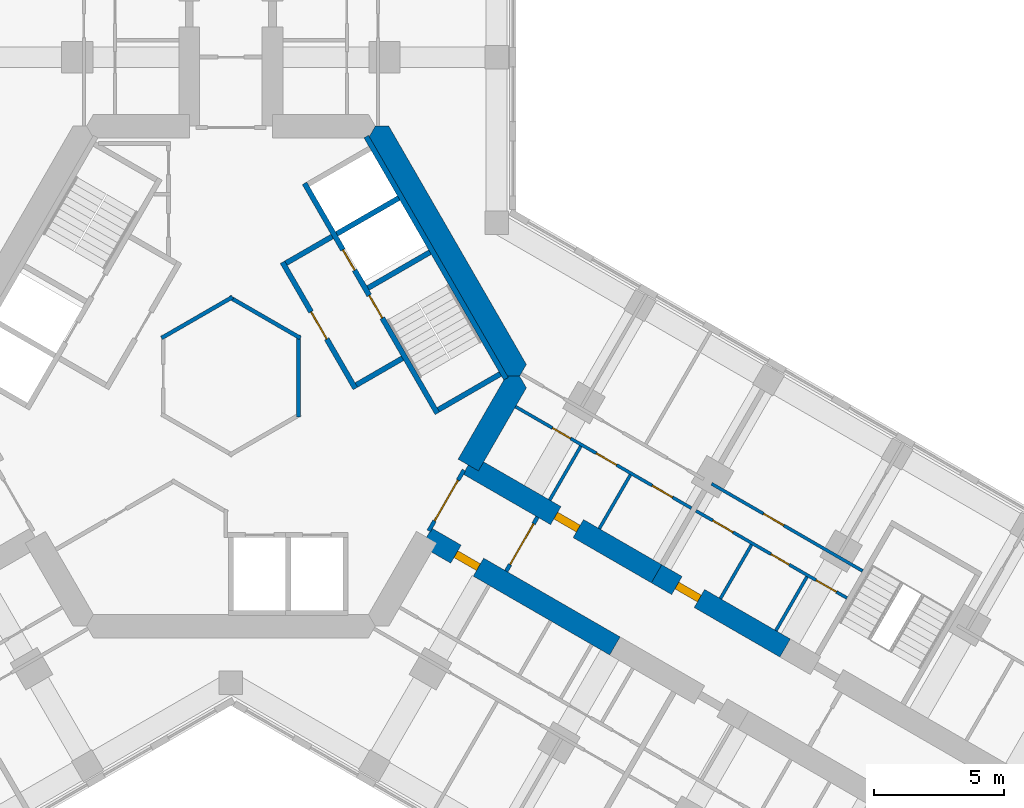
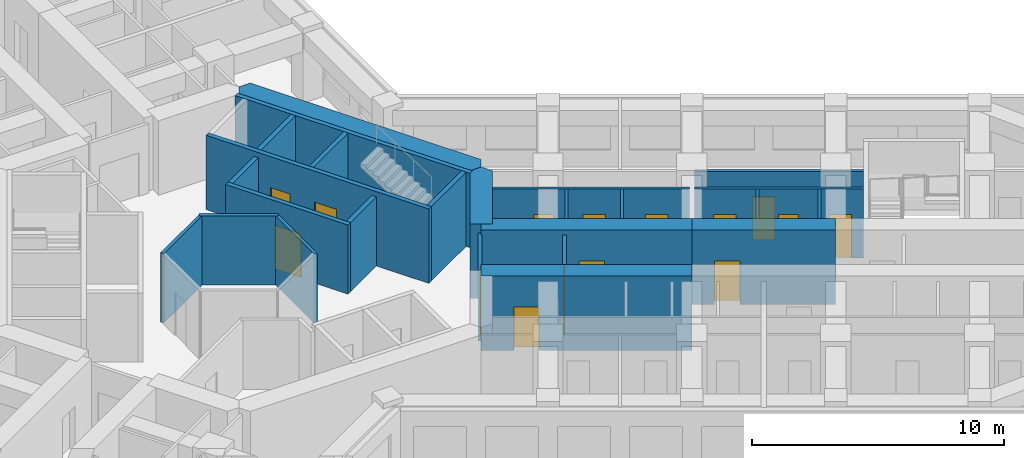
# One storey, part 15 of 19: 25 walls, 15 doors, 15 openings.
"""IFC4 building model written with IfcOpenShell, lengths in metres."""

from ifc_helpers import new_model, si_unit, direction, frame, frame_2d, origin, place, context, subcontext, project, spatial, polyline, rectangle, outline, extrude, material, layer, layer_set, type_object, element, fill, save


model = new_model("IFC4")

# Units and contexts
model_context = context("Model", 3, precision=1e-05, world=origin(), true_north=direction((0.0, 1.0)))
body_context = subcontext(model_context, "Body", "Model", "MODEL_VIEW")
ifc_project = project(units=[si_unit("LENGTHUNIT", "METRE"), si_unit("AREAUNIT", "SQUARE_METRE"), si_unit("VOLUMEUNIT", "CUBIC_METRE"), si_unit("PLANEANGLEUNIT", "RADIAN"), si_unit("MASSUNIT", "GRAM", prefix="KILO")], contexts=[model_context])

# Site, building, storey
site_placement = place(None, origin())
site = spatial("IfcSite", under=ifc_project, at=site_placement, CompositionType="ELEMENT")
building_placement = place(site_placement, origin())
building = spatial("IfcBuilding", under=site, at=building_placement, Name="Kosmar Iwan School Tower", CompositionType="ELEMENT")
storey_placement = place(building_placement, frame((0.0, 0.0, 168.800048828125)))
storey = spatial("IfcBuildingStorey", under=building, at=storey_placement, Name="L42", CompositionType="ELEMENT", Elevation=168.800048828125)

# Walls
ifc_material_1 = material(Name="Gypsum board on steel studs, fire-rated", Category="steel")
ifc_layer_1 = layer(ifc_material_1, 0.14990234375)
ifc_layer_set_1 = layer_set([ifc_layer_1], Name="Core room partition 150")
wall_type_1 = type_object("IfcWallType", Name="Core room partition 150", PredefinedType="PARTITIONING", material=ifc_layer_set_1)
for number, where, z_axis, x_axis, name in (
    (1, (-2.6650390625, 1.463623046875, 0.0), (0.0, 0.0, 1.0), (0.866023080072, 0.500004024767, 0.0), "Core room partition L42-CW11"),
    (2, (-0.06494140625, 3.039794921875, 0.0), (0.0, 0.0, 1.0), (0.866023080072, -0.500004024767, 0.0), "Core room partition L42-CW12"),
    (3, (2.60009765625, 1.576171875, 0.0), (0.0, 0.0, 1.0), (0.0, -1.0, 0.0), "Core room partition L42-CW13"),
):
    element("IfcWall", number, at=place(storey_placement, frame(where, z_axis=z_axis, x_axis=x_axis)), inside=storey, type_object=wall_type_1, Name=name, PredefinedType="PARTITIONING", context=body_context, shape_type="SweptSolid", body=[
        extrude(rectangle(XDim=3.15234375, YDim=0.14990234375, at=frame_2d((1.576171875, 0.0))), origin(), (0.0, 0.0, 1.0), 3.349853515625),
    ])
ifc_material_2 = material(Name="Concrete C50/60", Category="concrete")
ifc_layer_2 = layer(ifc_material_2, 0.89990234375)
ifc_layer_set_2 = layer_set([ifc_layer_2], Name="Core wall 900")
wall_type_2 = type_object("IfcWallType", Name="Core wall 900", PredefinedType="SHEAR", material=ifc_layer_set_2)
wall_1_placement = place(storey_placement, origin())
element("IfcWall", 4, at=wall_1_placement, inside=storey, type_object=wall_type_2, Name="Core wall F030", PredefinedType="SHEAR", context=body_context, shape_type="SweptSolid", body=[
    extrude(outline(polyline([(10.5654296875, 0.0), (11.085205078125, 0.0), (11.344970703125, 0.449951171875), (6.062255859375, 9.60009765625), (5.54248046875, 9.60009765625), (5.28271484375, 9.14990234375), (10.5654296875, 0.0)])), origin(), (0.0, 0.0, 1.0), 3.599853515625),
])
wall_2_placement = place(storey_placement, origin())
element("IfcWall", 5, at=wall_2_placement, inside=storey, type_object=wall_type_2, Name="Core wall F330b", PredefinedType="SHEAR", context=body_context, shape_type="SweptSolid", body=[
    extrude(outline(polyline([(9.503662109375, -3.639404296875), (11.344970703125, -0.449951171875), (11.085205078125, 0.0), (10.5654296875, 0.0), (8.72412109375, -3.189453125), (9.503662109375, -3.639404296875)])), origin(), (0.0, 0.0, 1.0), 3.599853515625),
])

# Wall, opening, door
ifc_material_3 = material(Name="Concrete C50/60", Category="concrete")
ifc_layer_3 = layer(ifc_material_3, 0.800048828125)
ifc_layer_set_3 = layer_set([ifc_layer_3], Name="Corridor buttress wall 800")
wall_type_3 = type_object("IfcWallType", Name="Corridor buttress wall 800", PredefinedType="SHEAR", material=ifc_layer_set_3)
wall_3_placement = place(storey_placement, frame((9.11376953125, -3.414306640625, 0.0), z_axis=(0.0, 0.0, 1.0), x_axis=(0.866026859388, -0.499997478812, 0.0)))
wall_3 = element("IfcWall", 6, at=wall_3_placement, inside=storey, type_object=wall_type_3, Name="Corridor wall CL", PredefinedType="SHEAR", context=body_context, shape_type="SweptSolid", body=[
    extrude(rectangle(XDim=8.35009765625, YDim=0.800048828125, at=frame_2d((4.175048828125, 0.0))), origin(), (0.0, 0.0, 1.0), 3.599853515625),
])
opening_1_placement = place(wall_3_placement, frame((3.8798828125, 0.0, 0.0)))
opening_1 = element("IfcOpeningElement", 7, at=opening_1_placement, cuts=wall_3, Name="Opening D1", PredefinedType="OPENING", context=body_context, shape_type="SweptSolid", body=[
    extrude(rectangle(XDim=1.0, YDim=2.10009765625, at=frame_2d((0.5, 1.050048828125))), frame((0.0, 0.412109375, 0.0), z_axis=(0.0, -1.0, 0.0), x_axis=(1.0, 0.0, 0.0)), (0.0, 0.0, 1.0), 0.823974609375),
])
ifc_material_4 = material(Name="Timber fire door in steel frame", Category="steel")
door_type_1 = type_object("IfcDoorType", Name="Flat entrance door 1000x2100", OperationType="SINGLE_SWING_LEFT", PredefinedType="DOOR", material=ifc_material_4)
door_1_placement = place(opening_1_placement, origin())
door_1 = element("IfcDoor", 8, at=door_1_placement, inside=storey, type_object=door_type_1, Name="Flat L42-CL1 entrance door", OperationType="SINGLE_SWING_LEFT", OverallHeight=2.10009765625, OverallWidth=1.0, PredefinedType="DOOR", context=body_context, shape_type="SweptSolid", body=[
    extrude(rectangle(XDim=1.0, YDim=2.10009765625, at=frame_2d((0.5, 1.050048828125))), frame((0.0, 0.14990234375, 0.0), z_axis=(0.0, -1.0, 0.0), x_axis=(1.0, 0.0, 0.0)), (0.0, 0.0, 1.0), 0.300048828125),
])
fill(opening_1, door_1)

wall_4_placement = place(storey_placement, frame((16.34521484375, -7.58935546875, 0.0), z_axis=(0.0, 0.0, 1.0), x_axis=(0.866015111908, -0.50001782563, 0.0)))
wall_4 = element("IfcWall", 9, at=wall_4_placement, inside=storey, type_object=wall_type_3, Name="Corridor wall CL bay 2", PredefinedType="SHEAR", context=body_context, shape_type="SweptSolid", body=[
    extrude(rectangle(XDim=5.699951171875, YDim=0.800048828125, at=frame_2d((2.85009765625, 0.0))), origin(), (0.0, 0.0, 1.0), 3.599853515625),
])
opening_2_placement = place(wall_4_placement, frame((0.89990234375, 0.0, 0.0)))
opening_2 = element("IfcOpeningElement", 10, at=opening_2_placement, cuts=wall_4, Name="Opening D1", PredefinedType="OPENING", context=body_context, shape_type="SweptSolid", body=[
    extrude(rectangle(XDim=1.0, YDim=2.10009765625, at=frame_2d((0.5, 1.050048828125))), frame((0.0, 0.412109375, 0.0), z_axis=(0.0, -1.0, 0.0), x_axis=(1.0, 0.0, 0.0)), (0.0, 0.0, 1.0), 0.823974609375),
])
door_2_placement = place(opening_2_placement, origin())
door_2 = element("IfcDoor", 11, at=door_2_placement, inside=storey, type_object=door_type_1, Name="Flat L42-CL2 entrance door", OperationType="SINGLE_SWING_RIGHT", OverallHeight=2.10009765625, OverallWidth=1.0, PredefinedType="DOOR", context=body_context, shape_type="SweptSolid", body=[
    extrude(rectangle(XDim=1.0, YDim=2.10009765625, at=frame_2d((0.5, 1.050048828125))), frame((0.0, 0.14990234375, 0.0), z_axis=(0.0, -1.0, 0.0), x_axis=(1.0, 0.0, 0.0)), (0.0, 0.0, 1.0), 0.300048828125),
])
fill(opening_2, door_2)

wall_5_placement = place(storey_placement, frame((7.513916015625, -6.185546875, 0.0), z_axis=(0.0, 0.0, 1.0), x_axis=(0.866019549707, -0.500010139422, 0.0)))
wall_5 = element("IfcWall", 12, at=wall_5_placement, inside=storey, type_object=wall_type_3, Name="Corridor wall CR", PredefinedType="SHEAR", context=body_context, shape_type="SweptSolid", body=[
    extrude(rectangle(XDim=8.349853515625, YDim=0.800048828125, at=frame_2d((4.1748046875, 0.0))), origin(), (0.0, 0.0, 1.0), 3.599853515625),
])
opening_3_placement = place(wall_5_placement, frame((1.300048828125, 0.0, 0.0)))
opening_3 = element("IfcOpeningElement", 13, at=opening_3_placement, cuts=wall_5, Name="Opening D1", PredefinedType="OPENING", context=body_context, shape_type="SweptSolid", body=[
    extrude(rectangle(XDim=1.0, YDim=2.10009765625, at=frame_2d((0.5, 1.050048828125))), frame((0.0, 0.412109375, 0.0), z_axis=(0.0, -1.0, 0.0), x_axis=(1.0, 0.0, 0.0)), (0.0, 0.0, 1.0), 0.823974609375),
])
door_3_placement = place(opening_3_placement, origin())
door_3 = element("IfcDoor", 14, at=door_3_placement, inside=storey, type_object=door_type_1, Name="Flat L42-CR1 entrance door", OperationType="SINGLE_SWING_RIGHT", OverallHeight=2.10009765625, OverallWidth=1.0, PredefinedType="DOOR", context=body_context, shape_type="SweptSolid", body=[
    extrude(rectangle(XDim=1.0, YDim=2.10009765625, at=frame_2d((0.5, 1.050048828125))), frame((0.0, 0.14990234375, 0.0), z_axis=(0.0, -1.0, 0.0), x_axis=(1.0, 0.0, 0.0)), (0.0, 0.0, 1.0), 0.300048828125),
])
fill(opening_3, door_3)

ifc_material_5 = material(Name="Gypsum board on steel studs, fire-rated", Category="steel")
ifc_layer_4 = layer(ifc_material_5, 0.14990234375)
ifc_layer_set_4 = layer_set([ifc_layer_4], Name="Corridor end wall 150")
wall_type_4 = type_object("IfcWallType", Name="Corridor end wall 150", PredefinedType="PARTITIONING", material=ifc_layer_set_4)
wall_6_placement = place(storey_placement, frame((10.57177734375, -7.4892578125, 0.0), z_axis=(0.0, 0.0, 1.0), x_axis=(0.499957262057, 0.866050077142, 0.0)))
wall_6 = element("IfcWall", 15, at=wall_6_placement, inside=storey, type_object=wall_type_4, Name="Partition L42-C-HW", PredefinedType="PARTITIONING", context=body_context, shape_type="SweptSolid", body=[
    extrude(rectangle(XDim=2.400146484375, YDim=0.14990234375, at=frame_2d((1.2001953125, 0.0))), origin(), (0.0, 0.0, 1.0), 3.349853515625),
])
opening_4_placement = place(wall_6_placement, frame((0.300048828125, 0.0, 0.0)))
opening_4 = element("IfcOpeningElement", 16, at=opening_4_placement, cuts=wall_6, Name="Opening D9", PredefinedType="OPENING", context=body_context, shape_type="SweptSolid", body=[
    extrude(rectangle(XDim=1.800048828125, YDim=2.10009765625, at=frame_2d((0.89990234375, 1.050048828125))), frame((0.0, 0.0869140625, 0.0), z_axis=(0.0, -1.0, 0.0), x_axis=(1.0, 0.0, 0.0)), (0.0, 0.0, 1.0), 0.173828125),
])
ifc_material_6 = material(Name="Steel framed glazed smoke door", Category="steel")
door_type_2 = type_object("IfcDoorType", Name="Corridor smoke door pair 1800x2100", OperationType="DOUBLE_DOOR_DOUBLE_SWING", PredefinedType="DOOR", material=ifc_material_6)
door_4_placement = place(opening_4_placement, origin())
door_4 = element("IfcDoor", 17, at=door_4_placement, inside=storey, type_object=door_type_2, Name="Hashti vestibule smoke doors L42-C", OperationType="DOUBLE_DOOR_DOUBLE_SWING", OverallHeight=2.10009765625, OverallWidth=1.800048828125, PredefinedType="DOOR", context=body_context, shape_type="SweptSolid", body=[
    extrude(rectangle(XDim=1.800048828125, YDim=2.10009765625, at=frame_2d((0.89990234375, 1.050048828125))), frame((0.0, 0.02490234375, 0.0), z_axis=(0.0, -1.0, 0.0), x_axis=(1.0, 0.0, 0.0)), (0.0, 0.0, 1.0), 0.050048828125),
])
fill(opening_4, door_4)

ifc_material_7 = material(Name="Steel framed glazed screen", Category="steel")
ifc_layer_5 = layer(ifc_material_7, 0.14990234375)
ifc_layer_set_5 = layer_set([ifc_layer_5], Name="Corridor screen wall 150")
wall_type_5 = type_object("IfcWallType", Name="Corridor screen wall 150", PredefinedType="PARTITIONING", material=ifc_layer_set_5)
wall_7_placement = place(storey_placement, frame((7.595458984375, -5.944091796875, 0.0), z_axis=(0.0, 0.0, 1.0), x_axis=(0.500048589285, 0.86599734893, 0.0)))
wall_7 = element("IfcWall", 18, at=wall_7_placement, inside=storey, type_object=wall_type_5, Name="Corridor screen C L42", PredefinedType="PARTITIONING", context=body_context, shape_type="SweptSolid", body=[
    extrude(rectangle(XDim=2.699951171875, YDim=0.14990234375, at=frame_2d((1.35009765625, 0.0))), origin(), (0.0, 0.0, 1.0), 3.349853515625),
])
opening_5_placement = place(wall_7_placement, frame((0.449951171875, 0.0, 0.0)))
opening_5 = element("IfcOpeningElement", 19, at=opening_5_placement, cuts=wall_7, Name="Opening D9", PredefinedType="OPENING", context=body_context, shape_type="SweptSolid", body=[
    extrude(rectangle(XDim=1.800048828125, YDim=2.10009765625, at=frame_2d((0.89990234375, 1.050048828125))), frame((0.0, 0.0869140625, 0.0), z_axis=(0.0, -1.0, 0.0), x_axis=(1.0, 0.0, 0.0)), (0.0, 0.0, 1.0), 0.173828125),
])
door_5_placement = place(opening_5_placement, origin())
door_5 = element("IfcDoor", 20, at=door_5_placement, inside=storey, type_object=door_type_2, Name="Corridor doors C L42", OperationType="DOUBLE_DOOR_DOUBLE_SWING", OverallHeight=2.10009765625, OverallWidth=1.800048828125, PredefinedType="DOOR", context=body_context, shape_type="SweptSolid", body=[
    extrude(rectangle(XDim=1.800048828125, YDim=2.10009765625, at=frame_2d((0.89990234375, 1.050048828125))), frame((0.0, 0.02490234375, 0.0), z_axis=(0.0, -1.0, 0.0), x_axis=(1.0, 0.0, 0.0)), (0.0, 0.0, 1.0), 0.050048828125),
])
fill(opening_5, door_5)

# Wall, openings, doors
ifc_material_8 = material(Name="Gypsum board on steel studs", Category="steel")
ifc_layer_6 = layer(ifc_material_8, 0.1201171875)
ifc_layer_set_6 = layer_set([ifc_layer_6], Name="Dwelling partition 120")
wall_type_6 = type_object("IfcWallType", Name="Dwelling partition 120", PredefinedType="PARTITIONING", material=ifc_layer_set_6)
wall_8_placement = place(storey_placement, frame((10.928466796875, -1.171142578125, 0.0), z_axis=(0.0, 0.0, 1.0), x_axis=(0.866021400173, -0.500006934395, 0.0)))
wall_8 = element("IfcWall", 21, at=wall_8_placement, inside=storey, type_object=wall_type_6, Name="Partition L42-CL1-W1", PredefinedType="PARTITIONING", context=body_context, shape_type="SweptSolid", body=[
    extrude(rectangle(XDim=7.80029296875, YDim=0.1201171875, at=frame_2d((3.900146484375, 0.0))), origin(), (0.0, 0.0, 1.0), 3.349853515625),
])
opening_6_placement = place(wall_8_placement, frame((1.639892578125, 0.0, 0.0)))
opening_6 = element("IfcOpeningElement", 22, at=opening_6_placement, cuts=wall_8, Name="Opening D3", PredefinedType="OPENING", context=body_context, shape_type="SweptSolid", body=[
    extrude(rectangle(XDim=0.800048828125, YDim=2.10009765625, at=frame_2d((0.39990234375, 1.050048828125))), frame((0.0, 0.072021484375, 0.0), z_axis=(0.0, -1.0, 0.0), x_axis=(1.0, 0.0, 0.0)), (0.0, 0.0, 1.0), 0.14404296875),
])
opening_7_placement = place(wall_8_placement, frame((3.580078125, 0.0, 0.0)))
opening_7 = element("IfcOpeningElement", 23, at=opening_7_placement, cuts=wall_8, Name="Opening D2", PredefinedType="OPENING", context=body_context, shape_type="SweptSolid", body=[
    extrude(rectangle(XDim=0.89990234375, YDim=2.10009765625, at=frame_2d((0.449951171875, 1.050048828125))), frame((0.0, 0.072021484375, 0.0), z_axis=(0.0, -1.0, 0.0), x_axis=(1.0, 0.0, 0.0)), (0.0, 0.0, 1.0), 0.14404296875),
])
opening_8_placement = place(wall_8_placement, frame((6.06494140625, 0.0, 0.0)))
opening_8 = element("IfcOpeningElement", 24, at=opening_8_placement, cuts=wall_8, Name="Opening D2", PredefinedType="OPENING", context=body_context, shape_type="SweptSolid", body=[
    extrude(rectangle(XDim=0.89990234375, YDim=2.10009765625, at=frame_2d((0.449951171875, 1.050048828125))), frame((0.0, 0.072021484375, 0.0), z_axis=(0.0, -1.0, 0.0), x_axis=(1.0, 0.0, 0.0)), (0.0, 0.0, 1.0), 0.14404296875),
])
ifc_material_9 = material(Name="Timber door in timber frame", Category="wood")
door_type_3 = type_object("IfcDoorType", Name="Internal door 900x2100", OperationType="SINGLE_SWING_LEFT", PredefinedType="DOOR", material=ifc_material_9)
door_6_placement = place(opening_7_placement, origin())
door_6 = element("IfcDoor", 25, at=door_6_placement, inside=storey, type_object=door_type_3, Name="Entrance hall door L42-CL1-S2", OperationType="SINGLE_SWING_RIGHT", OverallHeight=2.10009765625, OverallWidth=0.89990234375, PredefinedType="DOOR", context=body_context, shape_type="SweptSolid", body=[
    extrude(rectangle(XDim=0.89990234375, YDim=2.10009765625, at=frame_2d((0.449951171875, 1.050048828125))), frame((0.0, 0.02490234375, 0.0), z_axis=(0.0, -1.0, 0.0), x_axis=(1.0, 0.0, 0.0)), (0.0, 0.0, 1.0), 0.050048828125),
])
fill(opening_7, door_6)
door_7_placement = place(opening_8_placement, origin())
door_7 = element("IfcDoor", 26, at=door_7_placement, inside=storey, type_object=door_type_3, Name="Pantry door L42-CL1-S3", OperationType="SINGLE_SWING_RIGHT", OverallHeight=2.10009765625, OverallWidth=0.89990234375, PredefinedType="DOOR", context=body_context, shape_type="SweptSolid", body=[
    extrude(rectangle(XDim=0.89990234375, YDim=2.10009765625, at=frame_2d((0.449951171875, 1.050048828125))), frame((0.0, 0.02490234375, 0.0), z_axis=(0.0, -1.0, 0.0), x_axis=(1.0, 0.0, 0.0)), (0.0, 0.0, 1.0), 0.050048828125),
])
fill(opening_8, door_7)
ifc_material_10 = material(Name="Timber door in timber frame", Category="wood")
door_type_4 = type_object("IfcDoorType", Name="Sanitary room door 800x2100", OperationType="SINGLE_SWING_LEFT", PredefinedType="DOOR", material=ifc_material_10)
door_8_placement = place(opening_6_placement, origin())
door_8 = element("IfcDoor", 27, at=door_8_placement, inside=storey, type_object=door_type_4, Name="Bathroom door L42-CL1-S1", OperationType="SINGLE_SWING_LEFT", OverallHeight=2.10009765625, OverallWidth=0.800048828125, PredefinedType="DOOR", context=body_context, shape_type="SweptSolid", body=[
    extrude(rectangle(XDim=0.800048828125, YDim=2.10009765625, at=frame_2d((0.39990234375, 1.050048828125))), frame((0.0, 0.02490234375, 0.0), z_axis=(0.0, -1.0, 0.0), x_axis=(1.0, 0.0, 0.0)), (0.0, 0.0, 1.0), 0.050048828125),
])
fill(opening_6, door_8)

# Walls
for number, where, z_axis, x_axis, name in (
    (28, (12.240966796875, -4.758056640625, 0.0), (0.0, 0.0, 1.0), (0.500017192868, 0.86601547725, 0.0), "Partition L42-CL1-Y1"),
    (29, (14.146240234375, -5.85791015625, 0.0), (0.0, 0.0, 1.0), (0.500017192868, 0.86601547725, 0.0), "Partition L42-CL1-Y2"),
):
    element("IfcWall", number, at=place(storey_placement, frame(where, z_axis=z_axis, x_axis=x_axis)), inside=storey, type_object=wall_type_6, Name=name, PredefinedType="PARTITIONING", context=body_context, shape_type="SweptSolid", body=[
        extrude(rectangle(XDim=2.39013671875, YDim=0.1201171875, at=frame_2d((1.195068359375, 0.0))), origin(), (0.0, 0.0, 1.0), 3.349853515625),
    ])

# Wall, openings, doors
wall_9_placement = place(storey_placement, frame((17.856689453125, -5.171142578125, 0.0), z_axis=(0.0, 0.0, 1.0), x_axis=(0.866023571113, -0.500003174267, 0.0)))
wall_9 = element("IfcWall", 30, at=wall_9_placement, inside=storey, type_object=wall_type_6, Name="Partition L42-CL2-W1", PredefinedType="PARTITIONING", context=body_context, shape_type="SweptSolid", body=[
    extrude(rectangle(XDim=6.7001953125, YDim=0.1201171875, at=frame_2d((3.35009765625, 0.0))), origin(), (0.0, 0.0, 1.0), 3.349853515625),
])
opening_9_placement = place(wall_9_placement, frame((0.75, 0.0, 0.0)))
opening_9 = element("IfcOpeningElement", 31, at=opening_9_placement, cuts=wall_9, Name="Opening D2", PredefinedType="OPENING", context=body_context, shape_type="SweptSolid", body=[
    extrude(rectangle(XDim=0.89990234375, YDim=2.10009765625, at=frame_2d((0.449951171875, 1.050048828125))), frame((0.0, 0.072021484375, 0.0), z_axis=(0.0, -1.0, 0.0), x_axis=(1.0, 0.0, 0.0)), (0.0, 0.0, 1.0), 0.14404296875),
])
opening_10_placement = place(wall_9_placement, frame((3.330078125, 0.0, 0.0)))
opening_10 = element("IfcOpeningElement", 32, at=opening_10_placement, cuts=wall_9, Name="Opening D3", PredefinedType="OPENING", context=body_context, shape_type="SweptSolid", body=[
    extrude(rectangle(XDim=0.800048828125, YDim=2.10009765625, at=frame_2d((0.39990234375, 1.050048828125))), frame((0.0, 0.072021484375, 0.0), z_axis=(0.0, -1.0, 0.0), x_axis=(1.0, 0.0, 0.0)), (0.0, 0.0, 1.0), 0.14404296875),
])
opening_11_placement = place(wall_9_placement, frame((5.330078125, 0.0, 0.0)))
opening_11 = element("IfcOpeningElement", 33, at=opening_11_placement, cuts=wall_9, Name="Opening D2", PredefinedType="OPENING", context=body_context, shape_type="SweptSolid", body=[
    extrude(rectangle(XDim=0.89990234375, YDim=2.10009765625, at=frame_2d((0.449951171875, 1.050048828125))), frame((0.0, 0.072021484375, 0.0), z_axis=(0.0, -1.0, 0.0), x_axis=(1.0, 0.0, 0.0)), (0.0, 0.0, 1.0), 0.14404296875),
])
door_9_placement = place(opening_9_placement, origin())
door_9 = element("IfcDoor", 34, at=door_9_placement, inside=storey, type_object=door_type_3, Name="Entrance hall door L42-CL2-S1", OperationType="SINGLE_SWING_LEFT", OverallHeight=2.10009765625, OverallWidth=0.89990234375, PredefinedType="DOOR", context=body_context, shape_type="SweptSolid", body=[
    extrude(rectangle(XDim=0.89990234375, YDim=2.10009765625, at=frame_2d((0.449951171875, 1.050048828125))), frame((0.0, 0.02490234375, 0.0), z_axis=(0.0, -1.0, 0.0), x_axis=(1.0, 0.0, 0.0)), (0.0, 0.0, 1.0), 0.050048828125),
])
fill(opening_9, door_9)
door_10_placement = place(opening_11_placement, frame((0.89990234375, 0.0, 0.0), z_axis=(0.0, 0.0, 1.0), x_axis=(-1.0, 0.0, 0.0)))
door_10 = element("IfcDoor", 35, at=door_10_placement, inside=storey, type_object=door_type_3, Name="Pantry door L42-CL2-S3", OperationType="SINGLE_SWING_LEFT", OverallHeight=2.10009765625, OverallWidth=0.89990234375, PredefinedType="DOOR", context=body_context, shape_type="SweptSolid", body=[
    extrude(rectangle(XDim=0.89990234375, YDim=2.10009765625, at=frame_2d((0.449951171875, 1.050048828125))), frame((0.0, 0.02490234375, 0.0), z_axis=(0.0, -1.0, 0.0), x_axis=(1.0, 0.0, 0.0)), (0.0, 0.0, 1.0), 0.050048828125),
])
fill(opening_11, door_10)
door_11_placement = place(opening_10_placement, origin())
door_11 = element("IfcDoor", 36, at=door_11_placement, inside=storey, type_object=door_type_4, Name="Bathroom door L42-CL2-S2", OperationType="SINGLE_SWING_RIGHT", OverallHeight=2.10009765625, OverallWidth=0.800048828125, PredefinedType="DOOR", context=body_context, shape_type="SweptSolid", body=[
    extrude(rectangle(XDim=0.800048828125, YDim=2.10009765625, at=frame_2d((0.39990234375, 1.050048828125))), frame((0.0, 0.02490234375, 0.0), z_axis=(0.0, -1.0, 0.0), x_axis=(1.0, 0.0, 0.0)), (0.0, 0.0, 1.0), 0.050048828125),
])
fill(opening_10, door_11)

# Wall, opening, door
wall_10_placement = place(storey_placement, frame((18.456787109375, -4.1318359375, 0.0), z_axis=(0.0, 0.0, 1.0), x_axis=(0.866014461049, -0.500018952895, 0.0)))
wall_10 = element("IfcWall", 37, at=wall_10_placement, inside=storey, type_object=wall_type_6, Name="Partition L42-CL2-W2", PredefinedType="PARTITIONING", context=body_context, shape_type="SweptSolid", body=[
    extrude(rectangle(XDim=6.699951171875, YDim=0.1201171875, at=frame_2d((3.35009765625, 0.0))), origin(), (0.0, 0.0, 1.0), 3.349853515625),
])
opening_12_placement = place(wall_10_placement, frame((2.300048828125, 0.0, 0.0)))
opening_12 = element("IfcOpeningElement", 38, at=opening_12_placement, cuts=wall_10, Name="Opening D2", PredefinedType="OPENING", context=body_context, shape_type="SweptSolid", body=[
    extrude(rectangle(XDim=0.89990234375, YDim=2.10009765625, at=frame_2d((0.449951171875, 1.050048828125))), frame((0.0, 0.072021484375, 0.0), z_axis=(0.0, -1.0, 0.0), x_axis=(1.0, 0.0, 0.0)), (0.0, 0.0, 1.0), 0.14404296875),
])
door_12_placement = place(opening_12_placement, origin())
door_12 = element("IfcDoor", 39, at=door_12_placement, inside=storey, type_object=door_type_3, Name="Studio living room and kitchen door L42-CL2-F1", OperationType="SINGLE_SWING_LEFT", OverallHeight=2.10009765625, OverallWidth=0.89990234375, PredefinedType="DOOR", context=body_context, shape_type="SweptSolid", body=[
    extrude(rectangle(XDim=0.89990234375, YDim=2.10009765625, at=frame_2d((0.449951171875, 1.050048828125))), frame((0.0, 0.02490234375, 0.0), z_axis=(0.0, -1.0, 0.0), x_axis=(1.0, 0.0, 0.0)), (0.0, 0.0, 1.0), 0.050048828125),
])
fill(opening_12, door_12)

# Walls
for number, where, z_axis, x_axis, name in (
    (40, (18.796875, -8.54296875, 0.0), (0.0, 0.0, 1.0), (0.500017192868, 0.86601547725, 0.0), "Partition L42-CL2-Y1"),
    (41, (20.92724609375, -9.77294921875, 0.0), (0.0, 0.0, 1.0), (0.500017192868, 0.86601547725, 0.0), "Partition L42-CL2-Y2"),
):
    element("IfcWall", number, at=place(storey_placement, frame(where, z_axis=z_axis, x_axis=x_axis)), inside=storey, type_object=wall_type_6, Name=name, PredefinedType="PARTITIONING", context=body_context, shape_type="SweptSolid", body=[
        extrude(rectangle(XDim=2.39013671875, YDim=0.1201171875, at=frame_2d((1.195068359375, 0.0))), origin(), (0.0, 0.0, 1.0), 3.349853515625),
    ])

# Wall, opening, door
ifc_material_11 = material(Name="Concrete block masonry", Category="masonry")
ifc_layer_7 = layer(ifc_material_11, 0.199951171875)
ifc_layer_set_7 = layer_set([ifc_layer_7], Name="Fire lobby wall 200")
wall_type_7 = type_object("IfcWallType", Name="Fire lobby wall 200", PredefinedType="PARTITIONING", material=ifc_layer_set_7)
wall_11_placement = place(storey_placement, frame((4.777587890625, -0.474853515625, 0.0), z_axis=(0.0, 0.0, 1.0), x_axis=(-0.500016814911, 0.866015695474, 0.0)))
wall_11 = element("IfcWall", 42, at=wall_11_placement, inside=storey, type_object=wall_type_7, Name="Firefighting lobby wall ST1", PredefinedType="PARTITIONING", context=body_context, shape_type="SweptSolid", body=[
    extrude(rectangle(XDim=5.599853515625, YDim=0.199951171875, at=frame_2d((2.7998046875, 0.0))), origin(), (0.0, 0.0, 1.0), 3.349853515625),
])
opening_13_placement = place(wall_11_placement, frame((2.199951171875, 0.0, 0.0)))
opening_13 = element("IfcOpeningElement", 43, at=opening_13_placement, cuts=wall_11, Name="Opening D7", PredefinedType="OPENING", context=body_context, shape_type="SweptSolid", body=[
    extrude(rectangle(XDim=1.199951171875, YDim=2.10009765625, at=frame_2d((0.60009765625, 1.050048828125))), frame((0.0, 0.112060546875, 0.0), z_axis=(0.0, -1.0, 0.0), x_axis=(1.0, 0.0, 0.0)), (0.0, 0.0, 1.0), 0.223876953125),
])
ifc_material_12 = material(Name="Steel fire door", Category="steel")
door_type_5 = type_object("IfcDoorType", Name="Fire lobby door 1200x2100", OperationType="SINGLE_SWING_LEFT", PredefinedType="DOOR", material=ifc_material_12)
door_13_placement = place(opening_13_placement, frame((1.199951171875, 0.0, 0.0), z_axis=(0.0, 0.0, 1.0), x_axis=(-1.0, 0.0, 0.0)))
door_13 = element("IfcDoor", 44, at=door_13_placement, inside=storey, type_object=door_type_5, Name="Firefighting lobby door ST1 L42", OperationType="SINGLE_SWING_RIGHT", OverallHeight=2.10009765625, OverallWidth=1.199951171875, PredefinedType="DOOR", context=body_context, shape_type="SweptSolid", body=[
    extrude(rectangle(XDim=1.199951171875, YDim=2.10009765625, at=frame_2d((0.60009765625, 1.050048828125))), frame((0.0, 0.02490234375, 0.0), z_axis=(0.0, -1.0, 0.0), x_axis=(1.0, 0.0, 0.0)), (0.0, 0.0, 1.0), 0.050048828125),
])
fill(opening_13, door_13)

# Walls
wall_12_placement = place(storey_placement, frame((4.814208984375, -0.33837890625, 0.0), z_axis=(0.0, 0.0, 1.0), x_axis=(0.865969381856, 0.500097020274, 0.0)))
element("IfcWall", 45, at=wall_12_placement, inside=storey, type_object=wall_type_7, Name="Firefighting lobby wall ST1", PredefinedType="PARTITIONING", context=body_context, shape_type="SweptSolid", body=[
    extrude(rectangle(XDim=2.0498046875, YDim=0.199951171875, at=frame_2d((1.02490234375, 0.0))), origin(), (0.0, 0.0, 1.0), 3.349853515625),
])
wall_13_placement = place(storey_placement, frame((2.114013671875, 4.33837890625, 0.0), z_axis=(0.0, 0.0, 1.0), x_axis=(0.866050731258, 0.499956128963, 0.0)))
element("IfcWall", 46, at=wall_13_placement, inside=storey, type_object=wall_type_7, Name="Firefighting lobby wall ST1", PredefinedType="PARTITIONING", context=body_context, shape_type="SweptSolid", body=[
    extrude(rectangle(XDim=2.050048828125, YDim=0.199951171875, at=frame_2d((1.02490234375, 0.0))), origin(), (0.0, 0.0, 1.0), 3.349853515625),
])

# Wall, openings, doors
ifc_material_13 = material(Name="Concrete C50/60", Category="concrete")
ifc_layer_8 = layer(ifc_material_13, 0.199951171875)
ifc_layer_set_8 = layer_set([ifc_layer_8], Name="Lift shaft wall 200")
wall_type_8 = type_object("IfcWallType", Name="Lift shaft wall 200", PredefinedType="SHEAR", material=ifc_layer_set_8)
wall_14_placement = place(storey_placement, frame((7.926025390625, -1.42822265625, 0.0), z_axis=(0.0, 0.0, 1.0), x_axis=(-0.499998023675, 0.866026544813, 0.0)))
wall_14 = element("IfcWall", 47, at=wall_14_placement, inside=storey, type_object=wall_type_8, Name="Lift and stair front wall AC", PredefinedType="SHEAR", context=body_context, shape_type="SweptSolid", body=[
    extrude(rectangle(XDim=10.19970703125, YDim=0.199951171875, at=frame_2d((5.099853515625, 0.0))), origin(), (0.0, 0.0, 1.0), 3.599853515625),
])
opening_14_placement = place(wall_14_placement, frame((6.35009765625, 0.0, 0.0)))
opening_14 = element("IfcOpeningElement", 48, at=opening_14_placement, cuts=wall_14, Name="Opening LD2", PredefinedType="OPENING", context=body_context, shape_type="SweptSolid", body=[
    extrude(rectangle(XDim=0.89990234375, YDim=2.10009765625, at=frame_2d((0.449951171875, 1.050048828125))), frame((0.0, 0.112060546875, 0.0), z_axis=(0.0, -1.0, 0.0), x_axis=(1.0, 0.0, 0.0)), (0.0, 0.0, 1.0), 0.223876953125),
])
opening_15_placement = place(wall_14_placement, frame((4.22998046875, 0.0, 0.0)))
opening_15 = element("IfcOpeningElement", 49, at=opening_15_placement, cuts=wall_14, Name="Opening D6", PredefinedType="OPENING", context=body_context, shape_type="SweptSolid", body=[
    extrude(rectangle(XDim=1.0, YDim=2.10009765625, at=frame_2d((0.5, 1.050048828125))), frame((0.0, 0.112060546875, 0.0), z_axis=(0.0, -1.0, 0.0), x_axis=(1.0, 0.0, 0.0)), (0.0, 0.0, 1.0), 0.223876953125),
])
ifc_material_14 = material(Name="Stainless steel sliding lift door", Category="steel")
door_type_6 = type_object("IfcDoorType", Name="Firefighting lift landing door 900x2100", OperationType="SLIDING_TO_LEFT", PredefinedType="DOOR", material=ifc_material_14)
door_14_placement = place(opening_14_placement, origin())
door_14 = element("IfcDoor", 50, at=door_14_placement, inside=storey, type_object=door_type_6, Name="Lift FF1 landing door L42", OperationType="SLIDING_TO_LEFT", OverallHeight=2.10009765625, OverallWidth=0.89990234375, PredefinedType="DOOR", context=body_context, shape_type="SweptSolid", body=[
    extrude(rectangle(XDim=0.89990234375, YDim=2.10009765625, at=frame_2d((0.449951171875, 1.050048828125))), frame((0.0, 0.02490234375, 0.0), z_axis=(0.0, -1.0, 0.0), x_axis=(1.0, 0.0, 0.0)), (0.0, 0.0, 1.0), 0.050048828125),
])
fill(opening_14, door_14)
ifc_material_15 = material(Name="Steel fire door", Category="steel")
door_type_7 = type_object("IfcDoorType", Name="Stair door 1000x2100", OperationType="SINGLE_SWING_LEFT", PredefinedType="DOOR", material=ifc_material_15)
door_15_placement = place(opening_15_placement, origin())
door_15 = element("IfcDoor", 51, at=door_15_placement, inside=storey, type_object=door_type_7, Name="Stair ST1 door L42", OperationType="SINGLE_SWING_LEFT", OverallHeight=2.10009765625, OverallWidth=1.0, PredefinedType="DOOR", context=body_context, shape_type="SweptSolid", body=[
    extrude(rectangle(XDim=1.0, YDim=2.10009765625, at=frame_2d((0.5, 1.050048828125))), frame((0.0, 0.02490234375, 0.0), z_axis=(0.0, -1.0, 0.0), x_axis=(1.0, 0.0, 0.0)), (0.0, 0.0, 1.0), 0.050048828125),
])
fill(opening_15, door_15)

# Walls
wall_15_placement = place(storey_placement, frame((10.5654296875, -0.10009765625, 0.0), z_axis=(0.0, 0.0, 1.0), x_axis=(-0.499999935134, 0.866025441235, 0.0)))
element("IfcWall", 52, at=wall_15_placement, inside=storey, type_object=wall_type_8, Name="Lift and stair back wall AC", PredefinedType="SHEAR", context=body_context, shape_type="SweptSolid", body=[
    extrude(rectangle(XDim=10.73876953125, YDim=0.199951171875, at=frame_2d((5.369384765625, 0.0))), origin(), (0.0, 0.0, 1.0), 3.599853515625),
])
wall_16_placement = place(storey_placement, frame((4.062744140625, 5.46337890625, 0.0), z_axis=(0.0, 0.0, 1.0), x_axis=(0.866027397988, 0.499996545922, 0.0)))
element("IfcWall", 53, at=wall_16_placement, inside=storey, type_object=wall_type_8, Name="Lift shaft wall AC 1", PredefinedType="SHEAR", context=body_context, shape_type="SweptSolid", body=[
    extrude(rectangle(XDim=2.75, YDim=0.199951171875, at=frame_2d((1.375, 0.0))), origin(), (0.0, 0.0, 1.0), 3.599853515625),
])
ifc_material_16 = material(Name="Concrete C50/60", Category="concrete")
ifc_layer_9 = layer(ifc_material_16, 0.199951171875)
ifc_layer_set_9 = layer_set([ifc_layer_9], Name="Stair enclosure wall 200")
wall_type_9 = type_object("IfcWallType", Name="Stair enclosure wall 200", PredefinedType="SHEAR", material=ifc_layer_set_9)
for number, where, z_axis, x_axis, name in (
    (54, (7.962646484375, -1.291748046875, 0.0), (0.0, 0.0, 1.0), (0.866027397988, 0.499996545922, 0.0), "Stair ST1 wall"),
    (55, (5.2626953125, 3.384765625, 0.0), (0.0, 0.0, 1.0), (0.866027397988, 0.499996545922, 0.0), "Stair ST1 wall"),
):
    element("IfcWall", number, at=place(storey_placement, frame(where, z_axis=z_axis, x_axis=x_axis)), inside=storey, type_object=wall_type_9, Name=name, PredefinedType="SHEAR", context=body_context, shape_type="SweptSolid", body=[
        extrude(rectangle(XDim=2.75, YDim=0.199951171875, at=frame_2d((1.375, 0.0))), origin(), (0.0, 0.0, 1.0), 3.599853515625),
    ])

save(model, "model.ifc")
